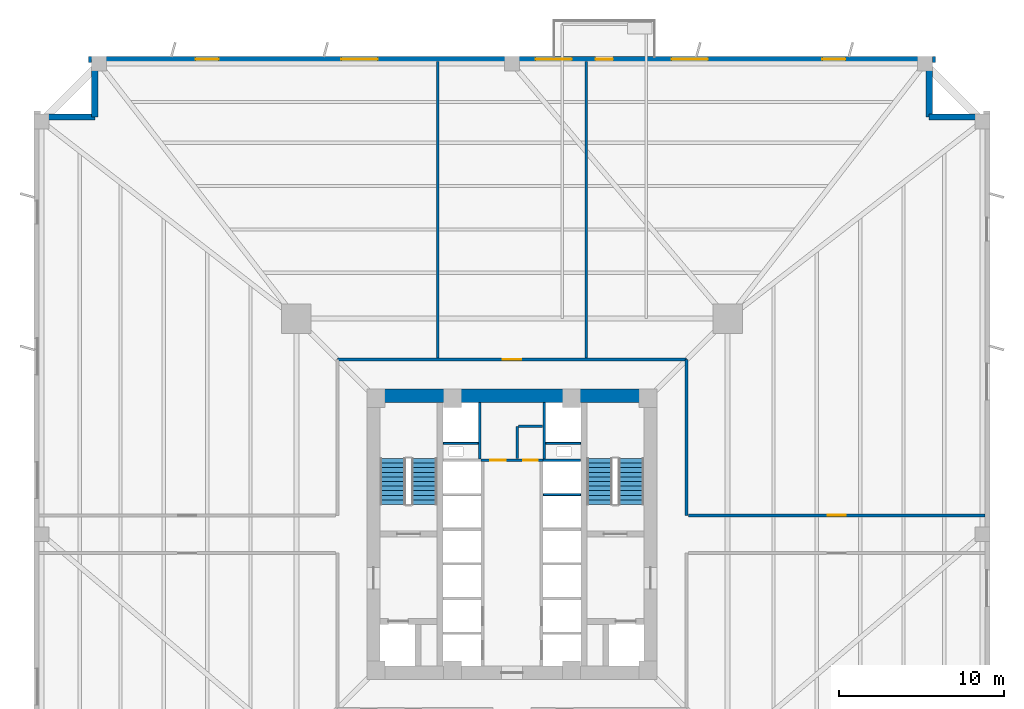
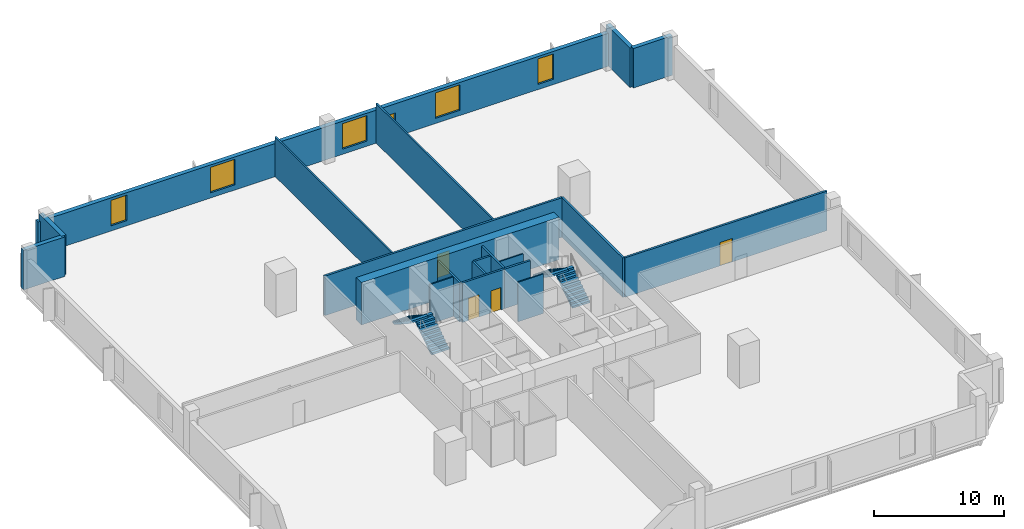
# One storey, part 4 of 8: 20 walls, 5 doors, 5 windows, 4 stair flights, 10 openings, 2 elements without a shape of their own.
"""IFC4 building model written with IfcOpenShell, lengths in metres."""

from ifc_helpers import new_model, si_unit, direction, frame, frame_2d, origin, place, context, subcontext, project, spatial, polyline, rectangle, outline, extrude, source, transform, mapped, material, layer, layer_set, type_object, element, fill, aggregate, save


model = new_model("IFC4")

# Units and contexts
model_context = context("Model", 3, precision=1e-05, world=origin(), true_north=direction((0.0, 1.0)))
body_context = subcontext(model_context, "Body", "Model", "MODEL_VIEW")
ifc_project = project(units=[si_unit("LENGTHUNIT", "METRE"), si_unit("AREAUNIT", "SQUARE_METRE"), si_unit("VOLUMEUNIT", "CUBIC_METRE"), si_unit("PLANEANGLEUNIT", "RADIAN"), si_unit("MASSUNIT", "GRAM", prefix="KILO"), si_unit("THERMODYNAMICTEMPERATUREUNIT", "KELVIN")], contexts=[model_context])

# Site, building, storey
site_placement = place(None, origin())
site = spatial("IfcSite", under=ifc_project, at=site_placement, CompositionType="ELEMENT")
building_placement = place(site_placement, origin())
building = spatial("IfcBuilding", under=site, at=building_placement, Name="Kosmvard Interchange Tower", CompositionType="ELEMENT")
storey_placement = place(building_placement, frame((0.0, 0.0, 30.0)))
storey = spatial("IfcBuildingStorey", under=building, at=storey_placement, Name="L06", CompositionType="ELEMENT", Elevation=30.0)

# Walls
ifc_material_1 = material(Name="Acoustic gypsum partition system")
ifc_layer_1 = layer(ifc_material_1, 0.14990234375, Name="Acoustic gypsum partition system")
ifc_layer_set_1 = layer_set([ifc_layer_1], Name="Acoustic gypsum partition system")
wall_type_1 = type_object("IfcWallType", Name="Acoustic Suite & Meeting Partition 150", PredefinedType="PARTITIONING", material=ifc_layer_set_1)
for number, where, z_axis, x_axis, name in (
    (1, (-4.5, 10.695068359375, 0.0), (0.0, 0.0, 1.0), (0.0, 1.0, 0.0), "L06 Room Partition 01.1"),
    (2, (4.5, 10.695068359375, 0.0), (0.0, 0.0, 1.0), (0.0, 1.0, 0.0), "L06 Room Partition 02.1"),
):
    element("IfcWall", number, at=place(storey_placement, frame(where, z_axis=z_axis, x_axis=x_axis)), inside=storey, type_object=wall_type_1, Name=name, PredefinedType="PARTITIONING", context=body_context, shape_type="SweptSolid", body=[
        extrude(rectangle(XDim=17.989990234375, YDim=0.14990234375, at=frame_2d((8.9951171875, 0.0))), origin(), (0.0, 0.0, 1.0), 3.719970703125),
    ])
ifc_material_2 = material(Name="Fire-rated gypsum partition system")
ifc_layer_2 = layer(ifc_material_2, 0.159912109375, Name="Fire-rated gypsum partition system")
ifc_layer_set_2 = layer_set([ifc_layer_2], Name="Fire-rated gypsum partition system")
wall_type_2 = type_object("IfcWallType", Name="Core Compartment & Shuttle Lobby Partition 160", PredefinedType="PARTITIONING", material=ifc_layer_set_2)
for number, where, z_axis, x_axis, name in (
    (3, (-1.9599609375, 4.580078125, 0.0), (0.0, 0.0, 1.0), (0.0, 1.0, 0.0), "L06 North Core West Wall"),
    (4, (1.9599609375, 4.580078125, 0.0), (0.0, 0.0, 1.0), (0.0, 1.0, 0.0), "L06 North Core East Wall"),
):
    element("IfcWall", number, at=place(storey_placement, frame(where, z_axis=z_axis, x_axis=x_axis)), inside=storey, type_object=wall_type_2, Name=name, PredefinedType="PARTITIONING", context=body_context, shape_type="SweptSolid", body=[
        extrude(rectangle(XDim=3.39990234375, YDim=0.159912109375, at=frame_2d((1.699951171875, 0.0))), origin(), (0.0, 0.0, 1.0), 3.719970703125),
    ])
ifc_material_3 = material(Name="Concrete blockwork masonry", Category="masonry")
ifc_layer_3 = layer(ifc_material_3, 0.159912109375, Name="Concrete blockwork masonry")
ifc_layer_set_3 = layer_set([ifc_layer_3], Name="Concrete blockwork masonry")
wall_type_3 = type_object("IfcWallType", Name="Core Enclosure Split Wall 160", PredefinedType="PARTITIONING", material=ifc_layer_set_3)
wall_1_placement = place(storey_placement, frame((0.320068359375, 4.60009765625, 0.0), z_axis=(0.0, 0.0, 1.0), x_axis=(0.0, 1.0, 0.0)))
element("IfcWall", 5, at=wall_1_placement, inside=storey, type_object=wall_type_3, Name="L06 Core K3 L-Wall 1", PredefinedType="PARTITIONING", context=body_context, shape_type="SweptSolid", body=[
    extrude(rectangle(XDim=1.949951171875, YDim=0.159912109375, at=frame_2d((0.97509765625, 0.0))), origin(), (0.0, 0.0, 1.0), 3.719970703125),
])
wall_2_placement = place(storey_placement, frame((0.39990234375, 6.550048828125, 0.0), z_axis=(0.0, 0.0, 1.0), x_axis=(1.0, 0.0, 0.0)))
element("IfcWall", 6, at=wall_2_placement, inside=storey, type_object=wall_type_3, Name="L06 Core K3 L-Wall 2", PredefinedType="PARTITIONING", context=body_context, shape_type="SweptSolid", body=[
    extrude(rectangle(XDim=1.460205078125, YDim=0.159912109375, at=frame_2d((0.72998046875, 0.0))), origin(), (0.0, 0.0, 1.0), 3.719970703125),
])

# Wall, openings, doors
ifc_layer_4 = layer(ifc_material_2, 0.179931640625, Name="Fire-rated gypsum partition system")
ifc_layer_set_4 = layer_set([ifc_layer_4], Name="Fire-rated gypsum partition system")
wall_type_4 = type_object("IfcWallType", Name="Corridor & Hotel Compartment Partition 180", PredefinedType="PARTITIONING", material=ifc_layer_set_4)
wall_3_placement = place(storey_placement, frame((-1.8798828125, 4.489990234375, 0.0), z_axis=(0.0, 0.0, 1.0), x_axis=(1.0, 0.0, 0.0)))
wall_3 = element("IfcWall", 7, at=wall_3_placement, inside=storey, type_object=wall_type_4, Name="L06 Lift Lobby North Partition", PredefinedType="PARTITIONING", context=body_context, shape_type="SweptSolid", body=[
    extrude(rectangle(XDim=3.759765625, YDim=0.179931640625, at=frame_2d((1.8798828125, 0.0))), origin(), (0.0, 0.0, 1.0), 3.719970703125),
])
opening_1_placement = place(wall_3_placement, frame((0.550048828125, 0.0, 0.0)))
opening_1 = element("IfcOpeningElement", 8, at=opening_1_placement, cuts=wall_3, Name="Opening L06-KD1", PredefinedType="OPENING", context=body_context, shape_type="SweptSolid", body=[
    extrude(rectangle(XDim=0.949951171875, YDim=2.10009765625, at=frame_2d((0.47509765625, 1.050048828125))), frame((0.0, 0.10009765625, 0.0), z_axis=(0.0, -1.0, 0.0), x_axis=(1.0, 0.0, 0.0)), (0.0, 0.0, 1.0), 0.199951171875),
])
opening_2_placement = place(wall_3_placement, frame((2.56005859375, 0.0, 0.0)))
opening_2 = element("IfcOpeningElement", 9, at=opening_2_placement, cuts=wall_3, Name="Opening L06-KD2", PredefinedType="OPENING", context=body_context, shape_type="SweptSolid", body=[
    extrude(rectangle(XDim=0.8798828125, YDim=2.10009765625, at=frame_2d((0.43994140625, 1.050048828125))), frame((0.0, 0.10009765625, 0.0), z_axis=(0.0, -1.0, 0.0), x_axis=(1.0, 0.0, 0.0)), (0.0, 0.0, 1.0), 0.199951171875),
])
ifc_material_4 = material(Name="Painted fire-rated timber leaf", Category="wood")
door_type_1 = type_object("IfcDoorType", Name="Core Service Fire Door 950x2100 EI30", OperationType="NOTDEFINED", PredefinedType="DOOR", material=ifc_material_4)
shared_shape_1 = source(origin(), body_context, "Body", "SweptSolid", [
    extrude(rectangle(XDim=0.949951171875, YDim=2.10009765625, at=frame_2d((0.47509765625, 1.050048828125))), frame((0.0, 0.02490234375, 0.0), z_axis=(0.0, -1.0, 0.0), x_axis=(1.0, 0.0, 0.0)), (0.0, 0.0, 1.0), 0.050048828125),
])
door_1_placement = place(opening_1_placement, origin())
door_1 = element("IfcDoor", 10, at=door_1_placement, inside=storey, type_object=door_type_1, Name="L06 Core Archive Store Door", OperationType="SINGLE_SWING_LEFT", OverallHeight=2.10009765625, OverallWidth=0.949951171875, PredefinedType="DOOR", context=body_context, shape_type="MappedRepresentation", body=[
    mapped(shared_shape_1, transform((0.0, 0.0, 0.0), scale=1.0)),
])
fill(opening_1, door_1)
door_type_2 = type_object("IfcDoorType", Name="Core Cupboard Fire Door 880x2100 EI30", OperationType="NOTDEFINED", PredefinedType="DOOR", material=ifc_material_4)
shared_shape_2 = source(origin(), body_context, "Body", "SweptSolid", [
    extrude(rectangle(XDim=0.8798828125, YDim=2.10009765625, at=frame_2d((0.43994140625, 1.050048828125))), frame((0.0, 0.02490234375, 0.0), z_axis=(0.0, -1.0, 0.0), x_axis=(1.0, 0.0, 0.0)), (0.0, 0.0, 1.0), 0.050048828125),
])
door_2_placement = place(opening_2_placement, origin())
door_2 = element("IfcDoor", 11, at=door_2_placement, inside=storey, type_object=door_type_2, Name="L06 Core Supplies Cupboard Door", OperationType="SINGLE_SWING_RIGHT", OverallHeight=2.10009765625, OverallWidth=0.8798828125, PredefinedType="DOOR", context=body_context, shape_type="MappedRepresentation", body=[
    mapped(shared_shape_2, transform((0.0, 0.0, 0.0), scale=1.0)),
])
fill(opening_2, door_2)

# Wall, opening, door
wall_4_placement = place(storey_placement, frame((-10.60009765625, 10.60009765625, 0.0), z_axis=(0.0, 0.0, 1.0), x_axis=(1.0, 0.0, 0.0)))
wall_4 = element("IfcWall", 12, at=wall_4_placement, inside=storey, type_object=wall_type_4, Name="L06 Corridor Wall CN", PredefinedType="PARTITIONING", context=body_context, shape_type="SweptSolid", body=[
    extrude(rectangle(XDim=21.2001953125, YDim=0.179931640625, at=frame_2d((10.60009765625, 0.0))), origin(), (0.0, 0.0, 1.0), 3.719970703125),
])
opening_3_placement = place(wall_4_placement, frame((10.050048828125, 0.0, 0.0)))
opening_3 = element("IfcOpeningElement", 13, at=opening_3_placement, cuts=wall_4, Name="Opening L06-D05", PredefinedType="OPENING", context=body_context, shape_type="SweptSolid", body=[
    extrude(rectangle(XDim=1.10009765625, YDim=2.199951171875, at=frame_2d((0.550048828125, 1.10009765625))), frame((0.0, 0.10009765625, 0.0), z_axis=(0.0, -1.0, 0.0), x_axis=(1.0, 0.0, 0.0)), (0.0, 0.0, 1.0), 0.199951171875),
])
ifc_material_5 = material(Name="Engineered oak fire-rated timber", Category="wood")
door_type_3 = type_object("IfcDoorType", Name="Office Suite Entrance Door 1100x2200 FD30S", OperationType="NOTDEFINED", PredefinedType="DOOR", material=ifc_material_5)
shared_shape_3 = source(origin(), body_context, "Body", "SweptSolid", [
    extrude(rectangle(XDim=1.10009765625, YDim=2.199951171875, at=frame_2d((0.550048828125, 1.10009765625))), frame((0.0, 0.02490234375, 0.0), z_axis=(0.0, -1.0, 0.0), x_axis=(1.0, 0.0, 0.0)), (0.0, 0.0, 1.0), 0.050048828125),
])
door_3_placement = place(opening_3_placement, origin())
door_3 = element("IfcDoor", 14, at=door_3_placement, inside=storey, type_object=door_type_3, Name="L06 Central Executive Boardroom Door", OperationType="SINGLE_SWING_LEFT", OverallHeight=2.199951171875, OverallWidth=1.10009765625, PredefinedType="DOOR", context=body_context, shape_type="MappedRepresentation", body=[
    mapped(shared_shape_3, transform((0.0, 0.0, 0.0), scale=1.0)),
])
fill(opening_3, door_3)

# Wall
wall_5_placement = place(storey_placement, frame((10.60009765625, 1.14990234375, 0.0), z_axis=(0.0, 0.0, 1.0), x_axis=(0.0, 1.0, 0.0)))
element("IfcWall", 15, at=wall_5_placement, inside=storey, type_object=wall_type_4, Name="L06 Corridor Wall CEN", PredefinedType="PARTITIONING", context=body_context, shape_type="SweptSolid", body=[
    extrude(rectangle(XDim=9.4501953125, YDim=0.179931640625, at=frame_2d((4.72509765625, 0.0))), origin(), (0.0, 0.0, 1.0), 3.719970703125),
])

# Wall, opening, door
wall_6_placement = place(storey_placement, frame((10.699951171875, 1.14990234375, 0.0), z_axis=(0.0, 0.0, 1.0), x_axis=(1.0, 0.0, 0.0)))
wall_6 = element("IfcWall", 16, at=wall_6_placement, inside=storey, type_object=wall_type_4, Name="L06 Corridor Wall SEN", PredefinedType="PARTITIONING", context=body_context, shape_type="SweptSolid", body=[
    extrude(rectangle(XDim=17.985107421875, YDim=0.179931640625, at=frame_2d((8.99267578125, 0.0))), origin(), (0.0, 0.0, 1.0), 3.719970703125),
])
opening_4_placement = place(wall_6_placement, frame((8.4423828125, 0.0, 0.0)))
opening_4 = element("IfcOpeningElement", 17, at=opening_4_placement, cuts=wall_6, Name="Opening L06-D06", PredefinedType="OPENING", context=body_context, shape_type="SweptSolid", body=[
    extrude(rectangle(XDim=1.10009765625, YDim=2.199951171875, at=frame_2d((0.550048828125, 1.10009765625))), frame((0.0, 0.10009765625, 0.0), z_axis=(0.0, -1.0, 0.0), x_axis=(1.0, 0.0, 0.0)), (0.0, 0.0, 1.0), 0.199951171875),
])
door_4_placement = place(opening_4_placement, origin())
door_4 = element("IfcDoor", 18, at=door_4_placement, inside=storey, type_object=door_type_3, Name="L06 North-East Open Plan Workplace Door", OperationType="SINGLE_SWING_RIGHT", OverallHeight=2.199951171875, OverallWidth=1.10009765625, PredefinedType="DOOR", context=body_context, shape_type="MappedRepresentation", body=[
    mapped(shared_shape_3, transform((0.0, 0.0, 0.0), scale=1.0)),
])
fill(opening_4, door_4)

# Walls
ifc_material_6 = material(Name="Concrete C80/95", Category="concrete")
ifc_layer_5 = layer(ifc_material_6, 0.800048828125, Name="Concrete C80/95")
ifc_layer_set_5 = layer_set([ifc_layer_5], Name="Concrete C80/95")
wall_type_5 = type_object("IfcWallType", Name="Lower Core Shear Wall 800 C80/95", PredefinedType="SHEAR", material=ifc_layer_set_5)
wall_7_placement = place(storey_placement, frame((-8.800048828125, 8.39990234375, 0.0), z_axis=(0.0, 0.0, 1.0), x_axis=(1.0, 0.0, 0.0)))
element("IfcWall", 19, at=wall_7_placement, inside=storey, type_object=wall_type_5, Name="L06 Core Shear Wall CW-N", PredefinedType="SHEAR", context=body_context, shape_type="SweptSolid", body=[
    extrude(rectangle(XDim=17.60009765625, YDim=0.800048828125, at=frame_2d((8.800048828125, 0.0))), origin(), (0.0, 0.0, 1.0), 4.0),
])
ifc_material_7 = material(Name="Precast concrete C45/55", Category="concrete")
ifc_layer_6 = layer(ifc_material_7, 0.3798828125, Name="Precast concrete C45/55")
ifc_layer_set_6 = layer_set([ifc_layer_6], Name="Precast concrete C45/55")
wall_type_6 = type_object("IfcWallType", Name="Lower Tower Precast Pier Wall 380 C45/55", PredefinedType="STANDARD", material=ifc_layer_set_6)
wall_8_placement = place(storey_placement, frame((28.81005859375, 25.31005859375, 0.0), z_axis=(0.0, 0.0, 1.0), x_axis=(-1.0, 0.0, 0.0)))
element("IfcWall", 20, at=wall_8_placement, inside=storey, type_object=wall_type_6, Name="L06 Precast Facade Wall N-NE1", PredefinedType="STANDARD", context=body_context, shape_type="SweptSolid", body=[
    extrude(rectangle(XDim=3.5, YDim=0.3798828125, at=frame_2d((1.75, 0.0))), origin(), (0.0, 0.0, 1.0), 3.719970703125),
])
wall_9_placement = place(storey_placement, frame((25.31005859375, 25.31005859375, 0.0), z_axis=(0.0, 0.0, 1.0), x_axis=(0.0, 1.0, 0.0)))
element("IfcWall", 21, at=wall_9_placement, inside=storey, type_object=wall_type_6, Name="L06 Precast Facade Wall N-NE2", PredefinedType="STANDARD", context=body_context, shape_type="SweptSolid", body=[
    extrude(rectangle(XDim=3.68994140625, YDim=0.3798828125, at=frame_2d((1.844970703125, 0.0))), origin(), (0.0, 0.0, 1.0), 3.719970703125),
])

# Wall, openings, door, windows
wall_10_placement = place(storey_placement, frame((25.68994140625, 28.81005859375, 0.0), z_axis=(0.0, 0.0, 1.0), x_axis=(-1.0, 0.0, 0.0)))
wall_10 = element("IfcWall", 22, at=wall_10_placement, inside=storey, type_object=wall_type_6, Name="L06 Precast Facade Wall F-N", PredefinedType="STANDARD", context=body_context, shape_type="SweptSolid", body=[
    extrude(rectangle(XDim=51.3798828125, YDim=0.3798828125, at=frame_2d((25.68994140625, 0.0))), origin(), (0.0, 0.0, 1.0), 3.1201171875),
])
opening_5_placement = place(wall_10_placement, frame((19.56494140625, 0.0, 0.0)))
opening_5 = element("IfcOpeningElement", 23, at=opening_5_placement, cuts=wall_10, Name="Opening L06-BDN", PredefinedType="OPENING", context=body_context, shape_type="SweptSolid", body=[
    extrude(rectangle(XDim=1.050048828125, YDim=2.25, at=frame_2d((0.52490234375, 1.125))), frame((0.0, 0.199951171875, 0.0), z_axis=(0.0, -1.0, 0.0), x_axis=(1.0, 0.0, 0.0)), (0.0, 0.0, 1.0), 0.39990234375),
])
opening_6_placement = place(wall_10_placement, frame((5.465576171875, 0.0, 0.489990234375)))
opening_6 = element("IfcOpeningElement", 24, at=opening_6_placement, cuts=wall_10, Name="Opening L06-W10", PredefinedType="OPENING", context=body_context, shape_type="SweptSolid", body=[
    extrude(rectangle(XDim=1.39990234375, YDim=2.39990234375, at=frame_2d((0.699951171875, 1.199951171875))), frame((0.0, 0.199951171875, 0.0), z_axis=(0.0, -1.0, 0.0), x_axis=(1.0, 0.0, 0.0)), (0.0, 0.0, 1.0), 0.39990234375),
])
opening_7_placement = place(wall_10_placement, frame((13.80029296875, 0.0, 0.489990234375)))
opening_7 = element("IfcOpeningElement", 25, at=opening_7_placement, cuts=wall_10, Name="Opening L06-W11", PredefinedType="OPENING", context=body_context, shape_type="SweptSolid", body=[
    extrude(rectangle(XDim=2.199951171875, YDim=2.39990234375, at=frame_2d((1.10009765625, 1.199951171875))), frame((0.0, 0.199951171875, 0.0), z_axis=(0.0, -1.0, 0.0), x_axis=(1.0, 0.0, 0.0)), (0.0, 0.0, 1.0), 0.39990234375),
])
opening_8_placement = place(wall_10_placement, frame((22.0625, 0.0, 0.489990234375)))
opening_8 = element("IfcOpeningElement", 26, at=opening_8_placement, cuts=wall_10, Name="Opening L06-W12", PredefinedType="OPENING", context=body_context, shape_type="SweptSolid", body=[
    extrude(rectangle(XDim=2.199951171875, YDim=2.39990234375, at=frame_2d((1.10009765625, 1.199951171875))), frame((0.0, 0.199951171875, 0.0), z_axis=(0.0, -1.0, 0.0), x_axis=(1.0, 0.0, 0.0)), (0.0, 0.0, 1.0), 0.39990234375),
])
opening_9_placement = place(wall_10_placement, frame((33.83837890625, 0.0, 0.489990234375)))
opening_9 = element("IfcOpeningElement", 27, at=opening_9_placement, cuts=wall_10, Name="Opening L06-W13", PredefinedType="OPENING", context=body_context, shape_type="SweptSolid", body=[
    extrude(rectangle(XDim=2.199951171875, YDim=2.39990234375, at=frame_2d((1.10009765625, 1.199951171875))), frame((0.0, 0.199951171875, 0.0), z_axis=(0.0, -1.0, 0.0), x_axis=(1.0, 0.0, 0.0)), (0.0, 0.0, 1.0), 0.39990234375),
])
opening_10_placement = place(wall_10_placement, frame((43.48681640625, 0.0, 0.489990234375)))
opening_10 = element("IfcOpeningElement", 28, at=opening_10_placement, cuts=wall_10, Name="Opening L06-W14", PredefinedType="OPENING", context=body_context, shape_type="SweptSolid", body=[
    extrude(rectangle(XDim=1.39990234375, YDim=2.39990234375, at=frame_2d((0.699951171875, 1.199951171875))), frame((0.0, 0.199951171875, 0.0), z_axis=(0.0, -1.0, 0.0), x_axis=(1.0, 0.0, 0.0)), (0.0, 0.0, 1.0), 0.39990234375),
])
ifc_material_8 = material(Name="Anodised aluminium and safety glass", Category="aluminium")
door_type_4 = type_object("IfcDoorType", Name="Tree-Balcony Glazed Door 1050x2250", OperationType="NOTDEFINED", PredefinedType="DOOR", material=ifc_material_8)
shared_shape_4 = source(origin(), body_context, "Body", "SweptSolid", [
    extrude(rectangle(XDim=1.050048828125, YDim=2.25, at=frame_2d((0.52490234375, 1.125))), frame((0.0, 0.02490234375, 0.0), z_axis=(0.0, -1.0, 0.0), x_axis=(1.0, 0.0, 0.0)), (0.0, 0.0, 1.0), 0.050048828125),
])
door_5_placement = place(opening_5_placement, origin())
door_5 = element("IfcDoor", 29, at=door_5_placement, inside=storey, type_object=door_type_4, Name="L06 Tree-Balcony Door BAL-L06-N", OperationType="SINGLE_SWING_LEFT", OverallHeight=2.25, OverallWidth=1.050048828125, PredefinedType="DOOR", context=body_context, shape_type="MappedRepresentation", body=[
    mapped(shared_shape_4, transform((0.0, 0.0, 0.0), scale=1.0)),
])
fill(opening_5, door_5)
ifc_material_9 = material(Name="Low-E solar-control double glazing", Category="glass")
window_type_1 = type_object("IfcWindowType", Name="Notched Corner Feature Window 1400x2400", PartitioningType="SINGLE_PANEL", PredefinedType="WINDOW", material=ifc_material_9)
shared_shape_5 = source(origin(), body_context, "Body", "SweptSolid", [
    extrude(rectangle(XDim=1.39990234375, YDim=2.39990234375, at=frame_2d((0.699951171875, 1.199951171875))), frame((0.0, 0.030029296875, 0.0), z_axis=(0.0, -1.0, 0.0), x_axis=(1.0, 0.0, 0.0)), (0.0, 0.0, 1.0), 0.06005859375),
])
window_1_placement = place(opening_6_placement, origin())
window_1 = element("IfcWindow", 30, at=window_1_placement, inside=storey, type_object=window_type_1, Name="L06 Facade Punched Window 10", OverallHeight=2.39990234375, OverallWidth=1.39990234375, PartitioningType="SINGLE_PANEL", PredefinedType="WINDOW", context=body_context, shape_type="MappedRepresentation", body=[
    mapped(shared_shape_5, transform((0.0, 0.0, 0.0), scale=1.0)),
])
fill(opening_6, window_1)
window_2_placement = place(opening_10_placement, origin())
window_2 = element("IfcWindow", 31, at=window_2_placement, inside=storey, type_object=window_type_1, Name="L06 Facade Punched Window 14", OverallHeight=2.39990234375, OverallWidth=1.39990234375, PartitioningType="SINGLE_PANEL", PredefinedType="WINDOW", context=body_context, shape_type="MappedRepresentation", body=[
    mapped(shared_shape_5, transform((0.0, 0.0, 0.0), scale=1.0)),
])
fill(opening_10, window_2)
window_type_2 = type_object("IfcWindowType", Name="Zone 1 Office Punched Window 2200x2400", PartitioningType="SINGLE_PANEL", PredefinedType="WINDOW", material=ifc_material_9)
shared_shape_6 = source(origin(), body_context, "Body", "SweptSolid", [
    extrude(rectangle(XDim=2.199951171875, YDim=2.39990234375, at=frame_2d((1.10009765625, 1.199951171875))), frame((0.0, 0.030029296875, 0.0), z_axis=(0.0, -1.0, 0.0), x_axis=(1.0, 0.0, 0.0)), (0.0, 0.0, 1.0), 0.06005859375),
])
window_3_placement = place(opening_7_placement, origin())
window_3 = element("IfcWindow", 32, at=window_3_placement, inside=storey, type_object=window_type_2, Name="L06 Facade Punched Window 11", OverallHeight=2.39990234375, OverallWidth=2.199951171875, PartitioningType="SINGLE_PANEL", PredefinedType="WINDOW", context=body_context, shape_type="MappedRepresentation", body=[
    mapped(shared_shape_6, transform((0.0, 0.0, 0.0), scale=1.0)),
])
fill(opening_7, window_3)
window_4_placement = place(opening_8_placement, origin())
window_4 = element("IfcWindow", 33, at=window_4_placement, inside=storey, type_object=window_type_2, Name="L06 Facade Punched Window 12", OverallHeight=2.39990234375, OverallWidth=2.199951171875, PartitioningType="SINGLE_PANEL", PredefinedType="WINDOW", context=body_context, shape_type="MappedRepresentation", body=[
    mapped(shared_shape_6, transform((0.0, 0.0, 0.0), scale=1.0)),
])
fill(opening_8, window_4)
window_5_placement = place(opening_9_placement, origin())
window_5 = element("IfcWindow", 34, at=window_5_placement, inside=storey, type_object=window_type_2, Name="L06 Facade Punched Window 13", OverallHeight=2.39990234375, OverallWidth=2.199951171875, PartitioningType="SINGLE_PANEL", PredefinedType="WINDOW", context=body_context, shape_type="MappedRepresentation", body=[
    mapped(shared_shape_6, transform((0.0, 0.0, 0.0), scale=1.0)),
])
fill(opening_9, window_5)

# Walls
wall_11_placement = place(storey_placement, frame((-25.31005859375, 28.81005859375, 0.0), z_axis=(0.0, 0.0, 1.0), x_axis=(0.0, -1.0, 0.0)))
element("IfcWall", 35, at=wall_11_placement, inside=storey, type_object=wall_type_6, Name="L06 Precast Facade Wall N-NW1", PredefinedType="STANDARD", context=body_context, shape_type="SweptSolid", body=[
    extrude(rectangle(XDim=3.5, YDim=0.3798828125, at=frame_2d((1.75, 0.0))), origin(), (0.0, 0.0, 1.0), 3.719970703125),
])
wall_12_placement = place(storey_placement, frame((-25.31005859375, 25.31005859375, 0.0), z_axis=(0.0, 0.0, 1.0), x_axis=(-1.0, 0.0, 0.0)))
element("IfcWall", 36, at=wall_12_placement, inside=storey, type_object=wall_type_6, Name="L06 Precast Facade Wall N-NW2", PredefinedType="STANDARD", context=body_context, shape_type="SweptSolid", body=[
    extrude(rectangle(XDim=3.68994140625, YDim=0.3798828125, at=frame_2d((1.844970703125, 0.0))), origin(), (0.0, 0.0, 1.0), 3.719970703125),
])
ifc_layer_7 = layer(ifc_material_3, 0.179931640625, Name="Concrete blockwork masonry")
ifc_layer_set_7 = layer_set([ifc_layer_7], Name="Concrete blockwork masonry")
wall_type_7 = type_object("IfcWallType", Name="Riser & Lift Bank Divider Wall 180", PredefinedType="PARTITIONING", material=ifc_layer_set_7)
wall_13_placement = place(storey_placement, frame((1.889892578125, 4.489990234375, 0.0), z_axis=(0.0, 0.0, 1.0), x_axis=(1.0, 0.0, 0.0)))
element("IfcWall", 37, at=wall_13_placement, inside=storey, type_object=wall_type_7, Name="L06 East Bank Divider BD3", PredefinedType="PARTITIONING", context=body_context, shape_type="SweptSolid", body=[
    extrude(rectangle(XDim=2.280029296875, YDim=0.179931640625, at=frame_2d((1.14013671875, 0.0))), origin(), (0.0, 0.0, 1.0), 3.719970703125),
])
ifc_material_10 = material(Name="Fire-rated gypsum shaftwall system")
ifc_layer_8 = layer(ifc_material_10, 0.1201171875, Name="Fire-rated gypsum shaftwall system")
ifc_layer_set_8 = layer_set([ifc_layer_8], Name="Fire-rated gypsum shaftwall system")
wall_type_8 = type_object("IfcWallType", Name="Shaft & Riser Fire Partition 120 EI60", PredefinedType="PARTITIONING", material=ifc_layer_set_8)
wall_14_placement = place(storey_placement, frame((1.89990234375, 2.39990234375, 0.0), z_axis=(0.0, 0.0, 1.0), x_axis=(1.0, 0.0, 0.0)))
element("IfcWall", 38, at=wall_14_placement, inside=storey, type_object=wall_type_8, Name="L06 Shaft Divider PL-H3", PredefinedType="PARTITIONING", context=body_context, shape_type="SweptSolid", body=[
    extrude(rectangle(XDim=2.260009765625, YDim=0.1201171875, at=frame_2d((1.1298828125, 0.0))), origin(), (0.0, 0.0, 1.0), 3.719970703125),
])
for number, where, z_axis, x_axis, name in (
    (39, (-4.159912109375, 5.52001953125, 0.0), (0.0, 0.0, 1.0), (1.0, 0.0, 0.0), "L06 Riser Shaft Divider W"),
    (40, (2.06005859375, 5.52001953125, 0.0), (0.0, 0.0, 1.0), (1.0, 0.0, 0.0), "L06 Riser Shaft Divider E"),
):
    element("IfcWall", number, at=place(storey_placement, frame(where, z_axis=z_axis, x_axis=x_axis)), inside=storey, type_object=wall_type_8, Name=name, PredefinedType="PARTITIONING", context=body_context, shape_type="SweptSolid", body=[
        extrude(rectangle(XDim=2.099853515625, YDim=0.1201171875, at=frame_2d((1.0498046875, 0.0))), origin(), (0.0, 0.0, 1.0), 3.719970703125),
    ])

# Stair, stair flights
ifc_material_11 = material(Name="Concrete C50/60", Category="concrete")
stair_type = type_object("IfcStairType", Name="Dog-Leg Core Exit Stair H4000 C50/60", PredefinedType="HALF_TURN_STAIR", material=ifc_material_11)
stair_1_placement = place(storey_placement, origin())
stair_1 = element("IfcStair", 41, at=stair_1_placement, inside=storey, type_object=stair_type, Name="L06 Protected Exit Stair ST-1", PredefinedType="HALF_TURN_STAIR")
stair_flight_type = type_object("IfcStairFlightType", Name="Core Stair Flight W1550 H4000 C50/60", PredefinedType="STRAIGHT", material=ifc_material_11)
shared_shape_7 = source(origin(), body_context, "Body", "SweptSolid", [
    extrude(outline(polyline([(0.0, 0.0), (0.0, 0.181884765625), (0.280029296875, 0.181884765625), (0.280029296875, 0.363525390625), (0.56005859375, 0.363525390625), (0.56005859375, 0.54541015625), (0.840087890625, 0.54541015625), (0.840087890625, 0.727294921875), (1.1201171875, 0.727294921875), (1.1201171875, 0.9091796875), (1.39990234375, 0.9091796875), (1.39990234375, 1.0908203125), (1.679931640625, 1.0908203125), (1.679931640625, 1.272705078125), (1.9599609375, 1.272705078125), (1.9599609375, 1.45458984375), (2.239990234375, 1.45458984375), (2.239990234375, 1.636474609375), (2.52001953125, 1.636474609375), (2.52001953125, 1.818115234375), (2.800048828125, 1.818115234375), (2.800048828125, 2.0), (2.800048828125, 1.62744140625), (0.293701171875, 0.0), (0.0, 0.0)])), frame((0.0, 0.77490234375, 0.0), z_axis=(0.0, -1.0, 0.0), x_axis=(1.0, 0.0, 0.0)), (0.0, 0.0, 1.0), 1.550048828125),
])
stair_flight_1_placement = place(storey_placement, frame((-5.31494140625, 1.800048828125, 0.0), z_axis=(0.0, 0.0, 1.0), x_axis=(0.0, 1.0, 0.0)))
stair_flight_1 = element("IfcStairFlight", 42, at=stair_flight_1_placement, type_object=stair_flight_type, Name="ST-1 flight 1", NumberOfRisers=11, NumberOfTreads=10, PredefinedType="STRAIGHT", RiserHeight=0.181818182, TreadLength=0.28, context=body_context, shape_type="MappedRepresentation", body=[
    mapped(shared_shape_7, transform((0.0, 0.0, 0.0), scale=1.0)),
])
stair_flight_2_placement = place(storey_placement, frame((-7.22509765625, 4.60009765625, 2.0), z_axis=(0.0, 0.0, 1.0), x_axis=(0.0, -1.0, 0.0)))
stair_flight_2 = element("IfcStairFlight", 43, at=stair_flight_2_placement, type_object=stair_flight_type, Name="ST-1 flight 2", NumberOfRisers=11, NumberOfTreads=10, PredefinedType="STRAIGHT", RiserHeight=0.181818182, TreadLength=0.28, context=body_context, shape_type="MappedRepresentation", body=[
    mapped(shared_shape_7, transform((0.0, 0.0, 0.0), scale=1.0)),
])
aggregate(stair_1, [stair_flight_1, stair_flight_2])

stair_2_placement = place(storey_placement, origin())
stair_2 = element("IfcStair", 44, at=stair_2_placement, inside=storey, type_object=stair_type, Name="L06 Protected Exit Stair ST-2", PredefinedType="HALF_TURN_STAIR")
stair_flight_3_placement = place(storey_placement, frame((7.22509765625, 1.800048828125, 0.0), z_axis=(0.0, 0.0, 1.0), x_axis=(0.0, 1.0, 0.0)))
stair_flight_3 = element("IfcStairFlight", 45, at=stair_flight_3_placement, type_object=stair_flight_type, Name="ST-2 flight 1", NumberOfRisers=11, NumberOfTreads=10, PredefinedType="STRAIGHT", RiserHeight=0.181818182, TreadLength=0.28, context=body_context, shape_type="MappedRepresentation", body=[
    mapped(shared_shape_7, transform((0.0, 0.0, 0.0), scale=1.0)),
])
stair_flight_4_placement = place(storey_placement, frame((5.31494140625, 4.60009765625, 2.0), z_axis=(0.0, 0.0, 1.0), x_axis=(0.0, -1.0, 0.0)))
stair_flight_4 = element("IfcStairFlight", 46, at=stair_flight_4_placement, type_object=stair_flight_type, Name="ST-2 flight 2", NumberOfRisers=11, NumberOfTreads=10, PredefinedType="STRAIGHT", RiserHeight=0.181818182, TreadLength=0.28, context=body_context, shape_type="MappedRepresentation", body=[
    mapped(shared_shape_7, transform((0.0, 0.0, 0.0), scale=1.0)),
])
aggregate(stair_2, [stair_flight_3, stair_flight_4])

save(model, "model.ifc")
